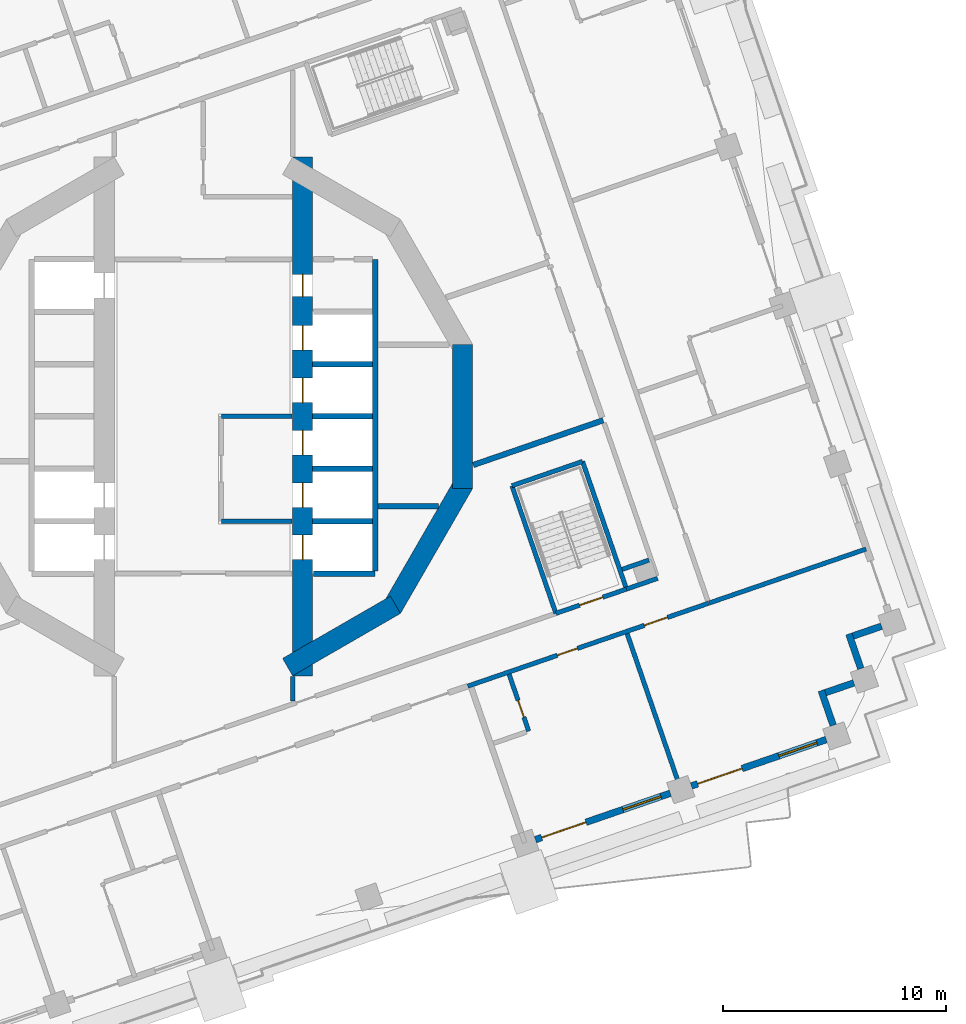
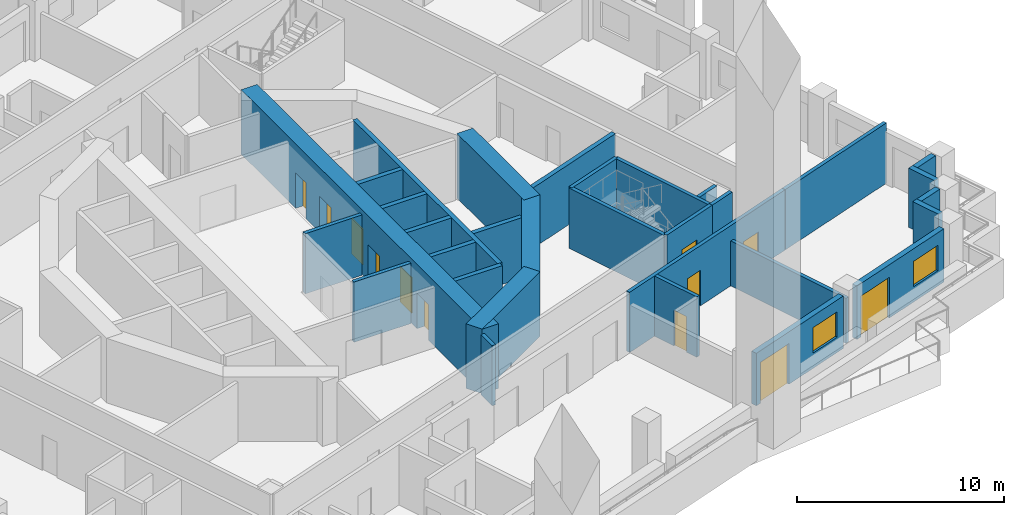
# One storey, part 5 of 18: 31 walls, 12 doors, 2 windows, 14 openings.
"""IFC4 building model written with IfcOpenShell, lengths in metres."""

from ifc_helpers import new_model, si_unit, direction, frame, frame_2d, origin, place, context, subcontext, project, spatial, rectangle, extrude, material, layer, layer_set, type_object, element, fill, save


model = new_model("IFC4")

# Units and contexts
model_context = context("Model", 3, precision=1e-05, world=origin(), true_north=direction((0.0, 1.0)))
body_context = subcontext(model_context, "Body", "Model", "MODEL_VIEW")
ifc_project = project(units=[si_unit("LENGTHUNIT", "METRE"), si_unit("AREAUNIT", "SQUARE_METRE"), si_unit("VOLUMEUNIT", "CUBIC_METRE"), si_unit("PLANEANGLEUNIT", "RADIAN"), si_unit("MASSUNIT", "GRAM", prefix="KILO")], contexts=[model_context])

# Site, building, storey
site_placement = place(None, origin())
site = spatial("IfcSite", under=ifc_project, at=site_placement, CompositionType="ELEMENT")
building_placement = place(site_placement, origin())
building = spatial("IfcBuilding", under=site, at=building_placement, Name="Cantera Rosa Tower", CompositionType="ELEMENT")
storey_placement = place(building_placement, frame((0.0, 0.0, 100.300048828125)))
storey = spatial("IfcBuildingStorey", under=building, at=storey_placement, Name="L19", CompositionType="ELEMENT", Elevation=100.300048828125)

# Wall, openings, doors
ifc_material_1 = material(Name="Gypsum board partition")
ifc_layer_1 = layer(ifc_material_1, 0.199951171875)
ifc_layer_set_1 = layer_set([ifc_layer_1], Name="CORRIDOR WALL 200 H3550")
wall_type_1 = type_object("IfcWallType", Name="CORRIDOR WALL 200 H3550", PredefinedType="PARTITIONING", material=ifc_layer_set_1)
wall_1_placement = place(storey_placement, frame((11.85986328125, -12.097900390625, 0.0), z_axis=(0.0, 0.0, 1.0), x_axis=(0.945521627167, 0.325559291927, 0.0)))
wall_1 = element("IfcWall", 1, at=wall_1_placement, inside=storey, type_object=wall_type_1, Name="CORRIDOR WALL L19-021", PredefinedType="PARTITIONING", context=body_context, shape_type="SweptSolid", body=[
    extrude(rectangle(XDim=11.4248046875, YDim=0.199951171875, at=frame_2d((5.71240234375, 0.0))), origin(), (0.0, 0.0, 1.0), 3.550048828125),
])
opening_1_placement = place(wall_1_placement, frame((4.25, 0.0, 0.0)))
opening_1 = element("IfcOpeningElement", 2, at=opening_1_placement, cuts=wall_1, Name="Opening L19-044", PredefinedType="OPENING", context=body_context, shape_type="SweptSolid", body=[
    extrude(rectangle(XDim=0.949951171875, YDim=2.10009765625, at=frame_2d((0.47509765625, 1.050048828125))), frame((0.0, 0.10986328125, 0.0), z_axis=(0.0, -1.0, 0.0), x_axis=(1.0, 0.0, 0.0)), (0.0, 0.0, 1.0), 0.219970703125),
])
opening_2_placement = place(wall_1_placement, frame((8.375, 0.0, 0.0)))
opening_2 = element("IfcOpeningElement", 3, at=opening_2_placement, cuts=wall_1, Name="Opening L19-048", PredefinedType="OPENING", context=body_context, shape_type="SweptSolid", body=[
    extrude(rectangle(XDim=1.10009765625, YDim=2.10009765625, at=frame_2d((0.550048828125, 1.050048828125))), frame((0.0, 0.10986328125, 0.0), z_axis=(0.0, -1.0, 0.0), x_axis=(1.0, 0.0, 0.0)), (0.0, 0.0, 1.0), 0.219970703125),
])
ifc_material_2 = material(Name="Timber door leaf", Category="wood")
door_type_1 = type_object("IfcDoorType", Name="ROOM DOOR 1100x2100", OperationType="NOTDEFINED", PredefinedType="DOOR", material=ifc_material_2)
door_1_placement = place(opening_2_placement, origin())
door_1 = element("IfcDoor", 4, at=door_1_placement, inside=storey, type_object=door_type_1, Name="DOOR L19-048", OperationType="NOTDEFINED", OverallHeight=2.10009765625, OverallWidth=1.10009765625, PredefinedType="DOOR", context=body_context, shape_type="SweptSolid", body=[
    extrude(rectangle(XDim=1.10009765625, YDim=2.10009765625, at=frame_2d((0.550048828125, 1.050048828125))), frame((0.0, 0.02490234375, 0.0), z_axis=(0.0, -1.0, 0.0), x_axis=(1.0, 0.0, 0.0)), (0.0, 0.0, 1.0), 0.050048828125),
])
fill(opening_2, door_1)
ifc_material_3 = material(Name="Timber door leaf", Category="wood")
door_type_2 = type_object("IfcDoorType", Name="ROOM DOOR 950x2100", OperationType="NOTDEFINED", PredefinedType="DOOR", material=ifc_material_3)
door_2_placement = place(opening_1_placement, origin())
door_2 = element("IfcDoor", 5, at=door_2_placement, inside=storey, type_object=door_type_2, Name="DOOR L19-044", OperationType="NOTDEFINED", OverallHeight=2.10009765625, OverallWidth=0.949951171875, PredefinedType="DOOR", context=body_context, shape_type="SweptSolid", body=[
    extrude(rectangle(XDim=0.949951171875, YDim=2.10009765625, at=frame_2d((0.47509765625, 1.050048828125))), frame((0.0, 0.02490234375, 0.0), z_axis=(0.0, -1.0, 0.0), x_axis=(1.0, 0.0, 0.0)), (0.0, 0.0, 1.0), 0.050048828125),
])
fill(opening_1, door_2)

# Walls
wall_2_placement = place(storey_placement, frame((4.0, -12.760498046875, 0.0), z_axis=(0.0, 0.0, 1.0), x_axis=(0.0, 1.0, 0.0)))
element("IfcWall", 6, at=wall_2_placement, inside=storey, type_object=wall_type_1, Name="CORRIDOR WALL L19-061", PredefinedType="PARTITIONING", context=body_context, shape_type="SweptSolid", body=[
    extrude(rectangle(XDim=1.09326171875, YDim=0.199951171875, at=frame_2d((0.546630859375, 0.0))), origin(), (0.0, 0.0, 1.0), 3.550048828125),
])
wall_3_placement = place(storey_placement, frame((18.978271484375, -7.7431640625, 0.0), z_axis=(0.0, 0.0, 1.0), x_axis=(0.945529243519, 0.32553717092, 0.0)))
element("IfcWall", 7, at=wall_3_placement, inside=storey, type_object=wall_type_1, Name="CORRIDOR WALL L19-103", PredefinedType="PARTITIONING", context=body_context, shape_type="SweptSolid", body=[
    extrude(rectangle(XDim=1.4765625, YDim=0.199951171875, at=frame_2d((0.73828125, 0.0))), origin(), (0.0, 0.0, 1.0), 3.550048828125),
])
ifc_material_4 = material(Name="Hollow clay masonry with cantera stone cladding", Category="masonry")
ifc_layer_2 = layer(ifc_material_4, 0.300048828125)
ifc_layer_set_2 = layer_set([ifc_layer_2], Name="EW-LOGGIA 300")
wall_type_2 = type_object("IfcWallType", Name="EW-LOGGIA 300", PredefinedType="SOLIDWALL", material=ifc_layer_set_2)
wall_4_placement = place(storey_placement, frame((28.250732421875, -13.857421875, 0.0), z_axis=(0.0, 0.0, 1.0), x_axis=(-0.325666906351, 0.945484566827, 0.0)))
element("IfcWall", 8, at=wall_4_placement, inside=storey, type_object=wall_type_2, Name="EN-L19-W29a", PredefinedType="SOLIDWALL", context=body_context, shape_type="SweptSolid", body=[
    extrude(rectangle(XDim=1.64990234375, YDim=0.300048828125, at=frame_2d((0.824951171875, 0.0))), origin(), (0.0, 0.0, 1.0), 3.5),
])
wall_5_placement = place(storey_placement, frame((27.904052734375, -12.390380859375, 0.0), z_axis=(0.0, 0.0, 1.0), x_axis=(0.945545797087, 0.325489086777, 0.0)))
element("IfcWall", 9, at=wall_5_placement, inside=storey, type_object=wall_type_2, Name="EN-L19-W29b", PredefinedType="SOLIDWALL", context=body_context, shape_type="SweptSolid", body=[
    extrude(rectangle(XDim=1.35009765625, YDim=0.300048828125, at=frame_2d((0.675048828125, 0.0))), origin(), (0.0, 0.0, 1.0), 3.5),
])
wall_6_placement = place(storey_placement, frame((29.490478515625, -11.315185546875, 0.0), z_axis=(0.0, 0.0, 1.0), x_axis=(-0.32553462645, 0.945530119553, 0.0)))
element("IfcWall", 10, at=wall_6_placement, inside=storey, type_object=wall_type_2, Name="EN-L19-W30a", PredefinedType="SOLIDWALL", context=body_context, shape_type="SweptSolid", body=[
    extrude(rectangle(XDim=1.64990234375, YDim=0.300048828125, at=frame_2d((0.824951171875, 0.0))), origin(), (0.0, 0.0, 1.0), 3.5),
])
wall_7_placement = place(storey_placement, frame((29.14404296875, -9.84814453125, 0.0), z_axis=(0.0, 0.0, 1.0), x_axis=(0.945526634763, 0.325544748006, 0.0)))
element("IfcWall", 11, at=wall_7_placement, inside=storey, type_object=wall_type_2, Name="EN-L19-W30b", PredefinedType="SOLIDWALL", context=body_context, shape_type="SweptSolid", body=[
    extrude(rectangle(XDim=1.349853515625, YDim=0.300048828125, at=frame_2d((0.6748046875, 0.0))), origin(), (0.0, 0.0, 1.0), 3.5),
])

# Wall, openings, window, door
ifc_material_5 = material(Name="Hollow clay masonry with cantera stone cladding", Category="masonry")
ifc_layer_3 = layer(ifc_material_5, 0.300048828125)
ifc_layer_set_3 = layer_set([ifc_layer_3], Name="EW-LOGGIA 300 H3090")
wall_type_3 = type_object("IfcWallType", Name="EW-LOGGIA 300 H3090", PredefinedType="SOLIDWALL", material=ifc_layer_set_3)
wall_8_placement = place(storey_placement, frame((14.892578125, -18.98583984375, 0.0), z_axis=(0.0, 0.0, 1.0), x_axis=(0.945512753621, 0.325585062219, 0.0)))
wall_8 = element("IfcWall", 12, at=wall_8_placement, inside=storey, type_object=wall_type_3, Name="EN-L19-W27", PredefinedType="SOLIDWALL", context=body_context, shape_type="SweptSolid", body=[
    extrude(rectangle(XDim=6.39990234375, YDim=0.300048828125, at=frame_2d((3.199951171875, 0.0))), origin(), (0.0, 0.0, 1.0), 3.08984375),
])
opening_3_placement = place(wall_8_placement, frame((0.300048828125, 0.0, 0.0)))
opening_3 = element("IfcOpeningElement", 13, at=opening_3_placement, cuts=wall_8, Name="Opening L19-TD37", PredefinedType="OPENING", context=body_context, shape_type="SweptSolid", body=[
    extrude(rectangle(XDim=2.10009765625, YDim=2.39990234375, at=frame_2d((1.050048828125, 1.199951171875))), frame((0.0, 0.159912109375, 0.0), z_axis=(0.0, -1.0, 0.0), x_axis=(1.0, 0.0, 0.0)), (0.0, 0.0, 1.0), 0.320068359375),
])
opening_4_placement = place(wall_8_placement, frame((4.14990234375, 0.0, 0.89990234375)))
opening_4 = element("IfcOpeningElement", 14, at=opening_4_placement, cuts=wall_8, Name="Opening L19-W38", PredefinedType="OPENING", context=body_context, shape_type="SweptSolid", body=[
    extrude(rectangle(XDim=1.800048828125, YDim=1.5, at=frame_2d((0.89990234375, 0.75))), frame((0.0, 0.159912109375, 0.0), z_axis=(0.0, -1.0, 0.0), x_axis=(1.0, 0.0, 0.0)), (0.0, 0.0, 1.0), 0.320068359375),
])
ifc_material_6 = material(Name="Aluminium frame with clear glass", Category="aluminium")
window_type = type_object("IfcWindowType", Name="Hotel room window 1800x1500", PartitioningType="DOUBLE_PANEL_VERTICAL", PredefinedType="WINDOW", material=ifc_material_6)
window_1_placement = place(opening_4_placement, origin())
window_1 = element("IfcWindow", 15, at=window_1_placement, inside=storey, type_object=window_type, Name="WINDOW L19-W38", OverallHeight=1.5, OverallWidth=1.800048828125, PartitioningType="SINGLE_PANEL", PredefinedType="WINDOW", context=body_context, shape_type="SweptSolid", body=[
    extrude(rectangle(XDim=1.800048828125, YDim=1.5, at=frame_2d((0.89990234375, 0.75))), frame((0.0, 0.030029296875, 0.0), z_axis=(0.0, -1.0, 0.0), x_axis=(1.0, 0.0, 0.0)), (0.0, 0.0, 1.0), 0.06005859375),
])
fill(opening_4, window_1)
ifc_material_7 = material(Name="Aluminium frame with clear glass", Category="aluminium")
door_type_3 = type_object("IfcDoorType", Name="TD-H 2100x2400", OperationType="NOTDEFINED", PredefinedType="DOOR", material=ifc_material_7)
door_3_placement = place(opening_3_placement, origin())
door_3 = element("IfcDoor", 16, at=door_3_placement, inside=storey, type_object=door_type_3, Name="LOGGIA DOOR L19-TD37", OperationType="SLIDING_TO_LEFT", OverallHeight=2.39990234375, OverallWidth=2.10009765625, PredefinedType="DOOR", context=body_context, shape_type="SweptSolid", body=[
    extrude(rectangle(XDim=2.10009765625, YDim=2.39990234375, at=frame_2d((1.050048828125, 1.199951171875))), frame((0.0, 0.02490234375, 0.0), z_axis=(0.0, -1.0, 0.0), x_axis=(1.0, 0.0, 0.0)), (0.0, 0.0, 1.0), 0.050048828125),
])
fill(opening_3, door_3)

ifc_material_8 = material(Name="Hollow clay masonry with cantera stone cladding", Category="masonry")
ifc_layer_4 = layer(ifc_material_8, 0.300048828125)
ifc_layer_set_4 = layer_set([ifc_layer_4], Name="EW-LOGGIA 300 H3140")
wall_type_4 = type_object("IfcWallType", Name="EW-LOGGIA 300 H3140", PredefinedType="SOLIDWALL", material=ifc_layer_set_4)
wall_9_placement = place(storey_placement, frame((21.889404296875, -16.57666015625, 0.0), z_axis=(0.0, 0.0, 1.0), x_axis=(0.945512753621, 0.325585062219, 0.0)))
wall_9 = element("IfcWall", 17, at=wall_9_placement, inside=storey, type_object=wall_type_4, Name="EN-L19-W28", PredefinedType="SOLIDWALL", context=body_context, shape_type="SweptSolid", body=[
    extrude(rectangle(XDim=6.39990234375, YDim=0.300048828125, at=frame_2d((3.199951171875, 0.0))), origin(), (0.0, 0.0, 1.0), 3.139892578125),
])
opening_5_placement = place(wall_9_placement, frame((0.300048828125, 0.0, 0.0)))
opening_5 = element("IfcOpeningElement", 18, at=opening_5_placement, cuts=wall_9, Name="Opening L19-TD39", PredefinedType="OPENING", context=body_context, shape_type="SweptSolid", body=[
    extrude(rectangle(XDim=2.10009765625, YDim=2.39990234375, at=frame_2d((1.050048828125, 1.199951171875))), frame((0.0, 0.159912109375, 0.0), z_axis=(0.0, -1.0, 0.0), x_axis=(1.0, 0.0, 0.0)), (0.0, 0.0, 1.0), 0.320068359375),
])
opening_6_placement = place(wall_9_placement, frame((4.14990234375, 0.0, 0.89990234375)))
opening_6 = element("IfcOpeningElement", 19, at=opening_6_placement, cuts=wall_9, Name="Opening L19-W40", PredefinedType="OPENING", context=body_context, shape_type="SweptSolid", body=[
    extrude(rectangle(XDim=1.800048828125, YDim=1.5, at=frame_2d((0.89990234375, 0.75))), frame((0.0, 0.159912109375, 0.0), z_axis=(0.0, -1.0, 0.0), x_axis=(1.0, 0.0, 0.0)), (0.0, 0.0, 1.0), 0.320068359375),
])
window_2_placement = place(opening_6_placement, origin())
window_2 = element("IfcWindow", 20, at=window_2_placement, inside=storey, type_object=window_type, Name="WINDOW L19-W40", OverallHeight=1.5, OverallWidth=1.800048828125, PartitioningType="SINGLE_PANEL", PredefinedType="WINDOW", context=body_context, shape_type="SweptSolid", body=[
    extrude(rectangle(XDim=1.800048828125, YDim=1.5, at=frame_2d((0.89990234375, 0.75))), frame((0.0, 0.030029296875, 0.0), z_axis=(0.0, -1.0, 0.0), x_axis=(1.0, 0.0, 0.0)), (0.0, 0.0, 1.0), 0.06005859375),
])
fill(opening_6, window_2)
door_4_placement = place(opening_5_placement, origin())
door_4 = element("IfcDoor", 21, at=door_4_placement, inside=storey, type_object=door_type_3, Name="LOGGIA DOOR L19-TD39", OperationType="SLIDING_TO_LEFT", OverallHeight=2.39990234375, OverallWidth=2.10009765625, PredefinedType="DOOR", context=body_context, shape_type="SweptSolid", body=[
    extrude(rectangle(XDim=2.10009765625, YDim=2.39990234375, at=frame_2d((1.050048828125, 1.199951171875))), frame((0.0, 0.02490234375, 0.0), z_axis=(0.0, -1.0, 0.0), x_axis=(1.0, 0.0, 0.0)), (0.0, 0.0, 1.0), 0.050048828125),
])
fill(opening_5, door_4)

# Wall, opening, door
ifc_material_9 = material(Name="Gypsum board partition")
ifc_layer_5 = layer(ifc_material_9, 0.199951171875)
ifc_layer_set_5 = layer_set([ifc_layer_5], Name="PARTITION 200 H3550")
wall_type_5 = type_object("IfcWallType", Name="PARTITION 200 H3550", PredefinedType="PARTITIONING", material=ifc_layer_set_5)
wall_10_placement = place(storey_placement, frame((13.71240234375, -11.56591796875, 0.0), z_axis=(0.0, 0.0, 1.0), x_axis=(0.325625589912, -0.945498797035, 0.0)))
wall_10 = element("IfcWall", 22, at=wall_10_placement, inside=storey, type_object=wall_type_5, Name="PARTITION L19-089", PredefinedType="PARTITIONING", context=body_context, shape_type="SweptSolid", body=[
    extrude(rectangle(XDim=2.699951171875, YDim=0.199951171875, at=frame_2d((1.35009765625, 0.0))), origin(), (0.0, 0.0, 1.0), 3.550048828125),
])
opening_7_placement = place(wall_10_placement, frame((1.236083984375, 0.0, 0.0)))
opening_7 = element("IfcOpeningElement", 23, at=opening_7_placement, cuts=wall_10, Name="Opening L19-045", PredefinedType="OPENING", context=body_context, shape_type="SweptSolid", body=[
    extrude(rectangle(XDim=0.800048828125, YDim=2.10009765625, at=frame_2d((0.39990234375, 1.050048828125))), frame((0.0, 0.10986328125, 0.0), z_axis=(0.0, -1.0, 0.0), x_axis=(1.0, 0.0, 0.0)), (0.0, 0.0, 1.0), 0.219970703125),
])
ifc_material_10 = material(Name="Timber door leaf", Category="wood")
door_type_4 = type_object("IfcDoorType", Name="BATHROOM DOOR 800x2100", OperationType="NOTDEFINED", PredefinedType="DOOR", material=ifc_material_10)
door_5_placement = place(opening_7_placement, origin())
door_5 = element("IfcDoor", 24, at=door_5_placement, inside=storey, type_object=door_type_4, Name="DOOR L19-045", OperationType="NOTDEFINED", OverallHeight=2.10009765625, OverallWidth=0.800048828125, PredefinedType="DOOR", context=body_context, shape_type="SweptSolid", body=[
    extrude(rectangle(XDim=0.800048828125, YDim=2.10009765625, at=frame_2d((0.39990234375, 1.050048828125))), frame((0.0, 0.02490234375, 0.0), z_axis=(0.0, -1.0, 0.0), x_axis=(1.0, 0.0, 0.0)), (0.0, 0.0, 1.0), 0.050048828125),
])
fill(opening_7, door_5)

# Walls
wall_11_placement = place(storey_placement, frame((19.98681640625, -6.444091796875, 0.0), z_axis=(0.0, 0.0, 1.0), x_axis=(-0.94553951581, -0.325507333315, 0.0)))
element("IfcWall", 25, at=wall_11_placement, inside=storey, type_object=wall_type_5, Name="PARTITION L19-105", PredefinedType="PARTITIONING", context=body_context, shape_type="SweptSolid", body=[
    extrude(rectangle(XDim=1.276611328125, YDim=0.199951171875, at=frame_2d((0.63818359375, 0.0))), origin(), (0.0, 0.0, 1.0), 3.550048828125),
])
wall_12_placement = place(storey_placement, frame((29.725341796875, -5.9462890625, 0.0), z_axis=(0.0, 0.0, 1.0), x_axis=(-0.945513938048, -0.325581622574, 0.0)))
element("IfcWall", 26, at=wall_12_placement, inside=storey, type_object=wall_type_5, Name="PARTITION L19-112", PredefinedType="PARTITIONING", context=body_context, shape_type="SweptSolid", body=[
    extrude(rectangle(XDim=7.449951171875, YDim=0.199951171875, at=frame_2d((3.72509765625, 0.0))), origin(), (0.0, 0.0, 1.0), 3.550048828125),
])
ifc_material_11 = material(Name="Gypsum board partition")
ifc_layer_6 = layer(ifc_material_11, 0.199951171875)
ifc_layer_set_6 = layer_set([ifc_layer_6], Name="PARTY WALL 200 H2650")
wall_type_6 = type_object("IfcWallType", Name="PARTY WALL 200 H2650", PredefinedType="PARTITIONING", material=ifc_layer_set_6)
wall_13_placement = place(storey_placement, frame((19.00732421875, -9.74267578125, 0.0), z_axis=(0.0, 0.0, 1.0), x_axis=(0.325603730276, -0.945506325114, 0.0)))
element("IfcWall", 27, at=wall_13_placement, inside=storey, type_object=wall_type_6, Name="PARTY WALL L19-102", PredefinedType="PARTITIONING", context=body_context, shape_type="SweptSolid", body=[
    extrude(rectangle(XDim=7.369873046875, YDim=0.199951171875, at=frame_2d((3.68505859375, 0.0))), origin(), (0.0, 0.0, 1.0), 2.64990234375),
])
ifc_material_12 = material(Name="Concrete C70/85", Category="concrete")
ifc_layer_7 = layer(ifc_material_12, 0.89990234375)
ifc_layer_set_7 = layer_set([ifc_layer_7], Name="RC CORE WALL 900 C70/85")
wall_type_7 = type_object("IfcWallType", Name="RC CORE WALL 900 C70/85", PredefinedType="SHEAR", material=ifc_layer_set_7)
wall_14_placement = place(storey_placement, frame((11.6240234375, 3.2353515625, 0.0), z_axis=(0.0, 0.0, 1.0), x_axis=(0.0, -1.0, 0.0)))
element("IfcWall", 28, at=wall_14_placement, inside=storey, type_object=wall_type_7, Name="CW-E3 L19", PredefinedType="SHEAR", context=body_context, shape_type="SweptSolid", body=[
    extrude(rectangle(XDim=6.470703125, YDim=0.89990234375, at=frame_2d((3.2353515625, 0.0))), origin(), (0.0, 0.0, 1.0), 3.800048828125),
])
wall_15_placement = place(storey_placement, frame((11.684326171875, -3.01025390625, 0.0), z_axis=(0.0, 0.0, 1.0), x_axis=(-0.499990282633, -0.866031014036, 0.0)))
element("IfcWall", 29, at=wall_15_placement, inside=storey, type_object=wall_type_7, Name="CW-E4 L19", PredefinedType="SHEAR", context=body_context, shape_type="SweptSolid", body=[
    extrude(rectangle(XDim=6.470458984375, YDim=0.89990234375, at=frame_2d((3.2353515625, 0.0))), origin(), (0.0, 0.0, 1.0), 3.800048828125),
])
wall_16_placement = place(storey_placement, frame((8.61376953125, -8.44921875, 0.0), z_axis=(0.0, 0.0, 1.0), x_axis=(-0.866026961591, -0.49999730179, 0.0)))
element("IfcWall", 30, at=wall_16_placement, inside=storey, type_object=wall_type_7, Name="CW-E5 L19", PredefinedType="SHEAR", context=body_context, shape_type="SweptSolid", body=[
    extrude(rectangle(XDim=5.58740234375, YDim=0.89990234375, at=frame_2d((2.793701171875, 0.0))), origin(), (0.0, 0.0, 1.0), 3.800048828125),
])

# Wall, openings, doors
wall_17_placement = place(storey_placement, frame((4.449951171875, -11.632568359375, 0.0), z_axis=(0.0, 0.0, 1.0), x_axis=(0.0, 1.0, 0.0)))
wall_17 = element("IfcWall", 31, at=wall_17_placement, inside=storey, type_object=wall_type_7, Name="CW-E6 L19", PredefinedType="SHEAR", context=body_context, shape_type="SweptSolid", body=[
    extrude(rectangle(XDim=23.26513671875, YDim=0.89990234375, at=frame_2d((11.632568359375, 0.0))), origin(), (0.0, 0.0, 1.0), 3.800048828125),
])
opening_8_placement = place(wall_17_placement, frame((7.5576171875, 0.0, 0.0)))
opening_8 = element("IfcOpeningElement", 32, at=opening_8_placement, cuts=wall_17, Name="Opening LD-FF1-L19", PredefinedType="OPENING", context=body_context, shape_type="SweptSolid", body=[
    extrude(rectangle(XDim=1.10009765625, YDim=2.10009765625, at=frame_2d((0.550048828125, 1.050048828125))), frame((0.0, 0.4599609375, 0.0), z_axis=(0.0, -1.0, 0.0), x_axis=(1.0, 0.0, 0.0)), (0.0, 0.0, 1.0), 0.919921875),
])
opening_9_placement = place(wall_17_placement, frame((9.907470703125, 0.0, 0.0)))
opening_9 = element("IfcOpeningElement", 33, at=opening_9_placement, cuts=wall_17, Name="Opening LD-FF2-L19", PredefinedType="OPENING", context=body_context, shape_type="SweptSolid", body=[
    extrude(rectangle(XDim=1.10009765625, YDim=2.10009765625, at=frame_2d((0.550048828125, 1.050048828125))), frame((0.0, 0.4599609375, 0.0), z_axis=(0.0, -1.0, 0.0), x_axis=(1.0, 0.0, 0.0)), (0.0, 0.0, 1.0), 0.919921875),
])
opening_10_placement = place(wall_17_placement, frame((12.257568359375, 0.0, 0.0)))
opening_10 = element("IfcOpeningElement", 34, at=opening_10_placement, cuts=wall_17, Name="Opening LD-P1-L19", PredefinedType="OPENING", context=body_context, shape_type="SweptSolid", body=[
    extrude(rectangle(XDim=1.10009765625, YDim=2.10009765625, at=frame_2d((0.550048828125, 1.050048828125))), frame((0.0, 0.4599609375, 0.0), z_axis=(0.0, -1.0, 0.0), x_axis=(1.0, 0.0, 0.0)), (0.0, 0.0, 1.0), 0.919921875),
])
opening_11_placement = place(wall_17_placement, frame((14.607421875, 0.0, 0.0)))
opening_11 = element("IfcOpeningElement", 35, at=opening_11_placement, cuts=wall_17, Name="Opening LD-P2-L19", PredefinedType="OPENING", context=body_context, shape_type="SweptSolid", body=[
    extrude(rectangle(XDim=1.10009765625, YDim=2.10009765625, at=frame_2d((0.550048828125, 1.050048828125))), frame((0.0, 0.4599609375, 0.0), z_axis=(0.0, -1.0, 0.0), x_axis=(1.0, 0.0, 0.0)), (0.0, 0.0, 1.0), 0.919921875),
])
opening_12_placement = place(wall_17_placement, frame((5.20751953125, 0.0, 0.0)))
opening_12 = element("IfcOpeningElement", 36, at=opening_12_placement, cuts=wall_17, Name="Opening LD-P6-L19", PredefinedType="OPENING", context=body_context, shape_type="SweptSolid", body=[
    extrude(rectangle(XDim=1.10009765625, YDim=2.10009765625, at=frame_2d((0.550048828125, 1.050048828125))), frame((0.0, 0.4599609375, 0.0), z_axis=(0.0, -1.0, 0.0), x_axis=(1.0, 0.0, 0.0)), (0.0, 0.0, 1.0), 0.919921875),
])
opening_13_placement = place(wall_17_placement, frame((17.007568359375, 0.0, 0.0)))
opening_13 = element("IfcOpeningElement", 37, at=opening_13_placement, cuts=wall_17, Name="Opening SD-L19-16", PredefinedType="OPENING", context=body_context, shape_type="SweptSolid", body=[
    extrude(rectangle(XDim=1.0, YDim=2.10009765625, at=frame_2d((0.5, 1.050048828125))), frame((0.0, 0.4599609375, 0.0), z_axis=(0.0, -1.0, 0.0), x_axis=(1.0, 0.0, 0.0)), (0.0, 0.0, 1.0), 0.919921875),
])
ifc_material_13 = material(Name="Steel S355J2 (EN 10025-2)", Category="steel")
door_type_5 = type_object("IfcDoorType", Name="LANDING DOOR 1100x2100", OperationType="NOTDEFINED", PredefinedType="DOOR", material=ifc_material_13)
door_6_placement = place(opening_8_placement, origin())
door_6 = element("IfcDoor", 38, at=door_6_placement, inside=storey, type_object=door_type_5, Name="LANDING DOOR FF1 L19", OperationType="SLIDING_TO_LEFT", OverallHeight=2.10009765625, OverallWidth=1.10009765625, PredefinedType="DOOR", context=body_context, shape_type="SweptSolid", body=[
    extrude(rectangle(XDim=1.10009765625, YDim=2.10009765625, at=frame_2d((0.550048828125, 1.050048828125))), frame((0.0, 0.02490234375, 0.0), z_axis=(0.0, -1.0, 0.0), x_axis=(1.0, 0.0, 0.0)), (0.0, 0.0, 1.0), 0.050048828125),
])
fill(opening_8, door_6)
door_7_placement = place(opening_9_placement, origin())
door_7 = element("IfcDoor", 39, at=door_7_placement, inside=storey, type_object=door_type_5, Name="LANDING DOOR FF2 L19", OperationType="SLIDING_TO_LEFT", OverallHeight=2.10009765625, OverallWidth=1.10009765625, PredefinedType="DOOR", context=body_context, shape_type="SweptSolid", body=[
    extrude(rectangle(XDim=1.10009765625, YDim=2.10009765625, at=frame_2d((0.550048828125, 1.050048828125))), frame((0.0, 0.02490234375, 0.0), z_axis=(0.0, -1.0, 0.0), x_axis=(1.0, 0.0, 0.0)), (0.0, 0.0, 1.0), 0.050048828125),
])
fill(opening_9, door_7)
door_8_placement = place(opening_10_placement, origin())
door_8 = element("IfcDoor", 40, at=door_8_placement, inside=storey, type_object=door_type_5, Name="LANDING DOOR P1 L19", OperationType="SLIDING_TO_LEFT", OverallHeight=2.10009765625, OverallWidth=1.10009765625, PredefinedType="DOOR", context=body_context, shape_type="SweptSolid", body=[
    extrude(rectangle(XDim=1.10009765625, YDim=2.10009765625, at=frame_2d((0.550048828125, 1.050048828125))), frame((0.0, 0.02490234375, 0.0), z_axis=(0.0, -1.0, 0.0), x_axis=(1.0, 0.0, 0.0)), (0.0, 0.0, 1.0), 0.050048828125),
])
fill(opening_10, door_8)
door_9_placement = place(opening_11_placement, origin())
door_9 = element("IfcDoor", 41, at=door_9_placement, inside=storey, type_object=door_type_5, Name="LANDING DOOR P2 L19", OperationType="SLIDING_TO_LEFT", OverallHeight=2.10009765625, OverallWidth=1.10009765625, PredefinedType="DOOR", context=body_context, shape_type="SweptSolid", body=[
    extrude(rectangle(XDim=1.10009765625, YDim=2.10009765625, at=frame_2d((0.550048828125, 1.050048828125))), frame((0.0, 0.02490234375, 0.0), z_axis=(0.0, -1.0, 0.0), x_axis=(1.0, 0.0, 0.0)), (0.0, 0.0, 1.0), 0.050048828125),
])
fill(opening_11, door_9)
door_10_placement = place(opening_12_placement, origin())
door_10 = element("IfcDoor", 42, at=door_10_placement, inside=storey, type_object=door_type_5, Name="LANDING DOOR P6 L19", OperationType="SLIDING_TO_LEFT", OverallHeight=2.10009765625, OverallWidth=1.10009765625, PredefinedType="DOOR", context=body_context, shape_type="SweptSolid", body=[
    extrude(rectangle(XDim=1.10009765625, YDim=2.10009765625, at=frame_2d((0.550048828125, 1.050048828125))), frame((0.0, 0.02490234375, 0.0), z_axis=(0.0, -1.0, 0.0), x_axis=(1.0, 0.0, 0.0)), (0.0, 0.0, 1.0), 0.050048828125),
])
fill(opening_12, door_10)
ifc_material_14 = material(Name="Timber door leaf", Category="wood")
door_type_6 = type_object("IfcDoorType", Name="SERVICE DOOR 1000x2100", OperationType="NOTDEFINED", PredefinedType="DOOR", material=ifc_material_14)
door_11_placement = place(opening_13_placement, origin())
door_11 = element("IfcDoor", 43, at=door_11_placement, inside=storey, type_object=door_type_6, Name="DOOR L19-SD16", OperationType="NOTDEFINED", OverallHeight=2.10009765625, OverallWidth=1.0, PredefinedType="DOOR", context=body_context, shape_type="SweptSolid", body=[
    extrude(rectangle(XDim=1.0, YDim=2.10009765625, at=frame_2d((0.5, 1.050048828125))), frame((0.0, 0.02490234375, 0.0), z_axis=(0.0, -1.0, 0.0), x_axis=(1.0, 0.0, 0.0)), (0.0, 0.0, 1.0), 0.050048828125),
])
fill(opening_13, door_11)

# Walls
ifc_material_15 = material(Name="Masonry blockwork", Category="masonry")
ifc_layer_8 = layer(ifc_material_15, 0.25)
ifc_layer_set_8 = layer_set([ifc_layer_8], Name="SHAFT WALL 250 H3550")
wall_type_8 = type_object("IfcWallType", Name="SHAFT WALL 250 H3550", PredefinedType="SOLIDWALL", material=ifc_layer_set_8)
for number, where, z_axis, x_axis, name in (
    (44, (4.89990234375, -4.699951171875, 0.0), (0.0, 0.0, 1.0), (1.0, 0.0, 0.0), "SHAFT WALL L19-066"),
    (45, (4.89990234375, 0.0, 0.0), (0.0, 0.0, 1.0), (1.0, 0.0, 0.0), "SHAFT WALL L19-067"),
):
    element("IfcWall", number, at=place(storey_placement, frame(where, z_axis=z_axis, x_axis=x_axis)), inside=storey, type_object=wall_type_8, Name=name, PredefinedType="SOLIDWALL", context=body_context, shape_type="SweptSolid", body=[
        extrude(rectangle(XDim=2.675048828125, YDim=0.25, at=frame_2d((1.33740234375, 0.0))), origin(), (0.0, 0.0, 1.0), 3.550048828125),
    ])
wall_18_placement = place(storey_placement, frame((4.929931640625, -7.050048828125, 0.0), z_axis=(0.0, 0.0, 1.0), x_axis=(1.0, 0.0, 0.0)))
element("IfcWall", 46, at=wall_18_placement, inside=storey, type_object=wall_type_8, Name="SHAFT WALL L19-068", PredefinedType="SOLIDWALL", context=body_context, shape_type="SweptSolid", body=[
    extrude(rectangle(XDim=2.77001953125, YDim=0.25, at=frame_2d((1.385009765625, 0.0))), origin(), (0.0, 0.0, 1.0), 3.550048828125),
])
wall_19_placement = place(storey_placement, frame((7.699951171875, -6.929931640625, 0.0), z_axis=(0.0, 0.0, 1.0), x_axis=(0.0, 1.0, 0.0)))
element("IfcWall", 47, at=wall_19_placement, inside=storey, type_object=wall_type_8, Name="SHAFT WALL L19-073", PredefinedType="SOLIDWALL", context=body_context, shape_type="SweptSolid", body=[
    extrude(rectangle(XDim=13.97998046875, YDim=0.25, at=frame_2d((6.989990234375, 0.0))), origin(), (0.0, 0.0, 1.0), 3.550048828125),
])
wall_20_placement = place(storey_placement, frame((7.824951171875, -4.029541015625, 0.0), z_axis=(0.0, 0.0, 1.0), x_axis=(1.0, 0.0, 0.0)))
element("IfcWall", 48, at=wall_20_placement, inside=storey, type_object=wall_type_8, Name="SHAFT WALL L19-074", PredefinedType="SOLIDWALL", context=body_context, shape_type="SweptSolid", body=[
    extrude(rectangle(XDim=2.716552734375, YDim=0.25, at=frame_2d((1.3583984375, 0.0))), origin(), (0.0, 0.0, 1.0), 3.550048828125),
])
for number, where, z_axis, x_axis, name in (
    (49, (7.574951171875, -2.35009765625, 0.0), (0.0, 0.0, 1.0), (-1.0, 0.0, 0.0), "SHAFT WALL L19-075"),
    (50, (7.574951171875, 2.35009765625, 0.0), (0.0, 0.0, 1.0), (-1.0, 0.0, 0.0), "SHAFT WALL L19-076"),
):
    element("IfcWall", number, at=place(storey_placement, frame(where, z_axis=z_axis, x_axis=x_axis)), inside=storey, type_object=wall_type_8, Name=name, PredefinedType="SOLIDWALL", context=body_context, shape_type="SweptSolid", body=[
        extrude(rectangle(XDim=2.675048828125, YDim=0.25, at=frame_2d((1.33740234375, 0.0))), origin(), (0.0, 0.0, 1.0), 3.550048828125),
    ])
wall_21_placement = place(storey_placement, frame((12.10400390625, -2.177978515625, 0.0), z_axis=(0.0, 0.0, 1.0), x_axis=(0.945512204671, 0.325586656388, 0.0)))
element("IfcWall", 51, at=wall_21_placement, inside=storey, type_object=wall_type_8, Name="SHAFT WALL L19-086", PredefinedType="SOLIDWALL", context=body_context, shape_type="SweptSolid", body=[
    extrude(rectangle(XDim=6.16455078125, YDim=0.25, at=frame_2d((3.082275390625, 0.0))), origin(), (0.0, 0.0, 1.0), 3.550048828125),
])
ifc_material_16 = material(Name="Concrete C50/60", Category="concrete")
ifc_layer_9 = layer(ifc_material_16, 0.199951171875)
ifc_layer_set_9 = layer_set([ifc_layer_9], Name="STAIR WALL 200 H3550")
wall_type_9 = type_object("IfcWallType", Name="STAIR WALL 200 H3550", PredefinedType="SOLIDWALL", material=ifc_layer_set_9)
for number, where, z_axis, x_axis, name in (
    (52, (0.800048828125, 0.0, 0.0), (0.0, 0.0, 1.0), (1.0, 0.0, 0.0), "STAIR WALL L19-057"),
    (53, (3.969970703125, -4.699951171875, 0.0), (0.0, 0.0, 1.0), (-1.0, 0.0, 0.0), "STAIR WALL L19-060"),
):
    element("IfcWall", number, at=place(storey_placement, frame(where, z_axis=z_axis, x_axis=x_axis)), inside=storey, type_object=wall_type_9, Name=name, PredefinedType="SOLIDWALL", context=body_context, shape_type="SweptSolid", body=[
        extrude(rectangle(XDim=3.169921875, YDim=0.199951171875, at=frame_2d((1.5849609375, 0.0))), origin(), (0.0, 0.0, 1.0), 3.550048828125),
    ])
wall_22_placement = place(storey_placement, frame((13.839599609375, -3.10888671875, 0.0), z_axis=(0.0, 0.0, 1.0), x_axis=(0.325563172411, -0.945520291041, 0.0)))
element("IfcWall", 54, at=wall_22_placement, inside=storey, type_object=wall_type_9, Name="STAIR WALL L19-090", PredefinedType="SOLIDWALL", context=body_context, shape_type="SweptSolid", body=[
    extrude(rectangle(XDim=6.0546875, YDim=0.199951171875, at=frame_2d((3.02734375, 0.0))), origin(), (0.0, 0.0, 1.0), 3.550048828125),
])

# Wall, opening, door
wall_23_placement = place(storey_placement, frame((15.810791015625, -8.833740234375, 0.0), z_axis=(0.0, 0.0, 1.0), x_axis=(0.945525450469, 0.325548187702, 0.0)))
wall_23 = element("IfcWall", 55, at=wall_23_placement, inside=storey, type_object=wall_type_9, Name="STAIR WALL L19-095", PredefinedType="SOLIDWALL", context=body_context, shape_type="SweptSolid", body=[
    extrude(rectangle(XDim=3.349853515625, YDim=0.199951171875, at=frame_2d((1.6748046875, 0.0))), origin(), (0.0, 0.0, 1.0), 3.550048828125),
])
opening_14_placement = place(wall_23_placement, frame((1.125, 0.0, 0.0)))
opening_14 = element("IfcOpeningElement", 56, at=opening_14_placement, cuts=wall_23, Name="Opening L19-003", PredefinedType="OPENING", context=body_context, shape_type="SweptSolid", body=[
    extrude(rectangle(XDim=1.10009765625, YDim=2.10009765625, at=frame_2d((0.550048828125, 1.050048828125))), frame((0.0, 0.10986328125, 0.0), z_axis=(0.0, -1.0, 0.0), x_axis=(1.0, 0.0, 0.0)), (0.0, 0.0, 1.0), 0.219970703125),
])
ifc_material_17 = material(Name="Steel S355J2 (EN 10025-2)", Category="steel")
door_type_7 = type_object("IfcDoorType", Name="STAIR DOOR 1100x2100", OperationType="NOTDEFINED", PredefinedType="DOOR", material=ifc_material_17)
door_12_placement = place(opening_14_placement, origin())
door_12 = element("IfcDoor", 57, at=door_12_placement, inside=storey, type_object=door_type_7, Name="DOOR L19-003", OperationType="NOTDEFINED", OverallHeight=2.10009765625, OverallWidth=1.10009765625, PredefinedType="DOOR", context=body_context, shape_type="SweptSolid", body=[
    extrude(rectangle(XDim=1.10009765625, YDim=2.10009765625, at=frame_2d((0.550048828125, 1.050048828125))), frame((0.0, 0.02490234375, 0.0), z_axis=(0.0, -1.0, 0.0), x_axis=(1.0, 0.0, 0.0)), (0.0, 0.0, 1.0), 0.050048828125),
])
fill(opening_14, door_12)

# Walls
wall_24_placement = place(storey_placement, frame((17.007080078125, -2.01806640625, 0.0), z_axis=(0.0, 0.0, 1.0), x_axis=(-0.945503015732, -0.325613340087, 0.0)))
element("IfcWall", 58, at=wall_24_placement, inside=storey, type_object=wall_type_9, Name="STAIR WALL L19-099", PredefinedType="SOLIDWALL", context=body_context, shape_type="SweptSolid", body=[
    extrude(rectangle(XDim=3.35009765625, YDim=0.199951171875, at=frame_2d((1.675048828125, 0.0))), origin(), (0.0, 0.0, 1.0), 3.550048828125),
])
wall_25_placement = place(storey_placement, frame((17.007080078125, -2.01806640625, 0.0), z_axis=(0.0, 0.0, 1.0), x_axis=(0.325550760545, -0.945524564625, 0.0)))
element("IfcWall", 59, at=wall_25_placement, inside=storey, type_object=wall_type_9, Name="STAIR WALL L19-100", PredefinedType="SOLIDWALL", context=body_context, shape_type="SweptSolid", body=[
    extrude(rectangle(XDim=6.054931640625, YDim=0.199951171875, at=frame_2d((3.02734375, 0.0))), origin(), (0.0, 0.0, 1.0), 3.550048828125),
])

save(model, "model.ifc")
